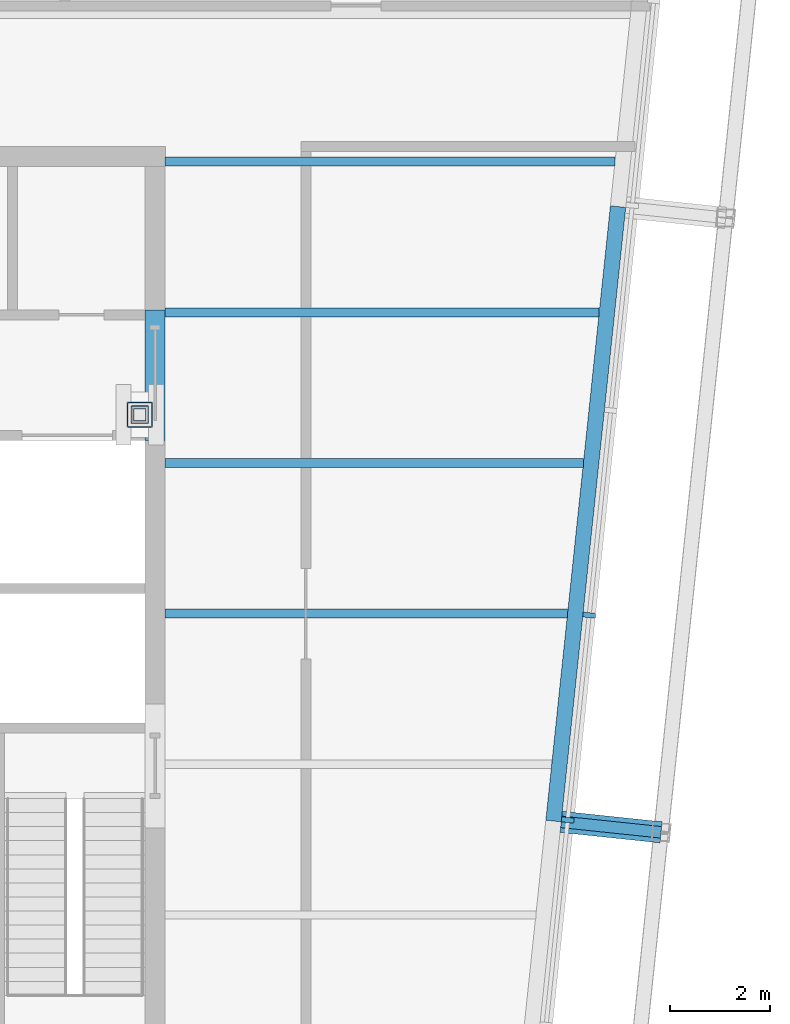
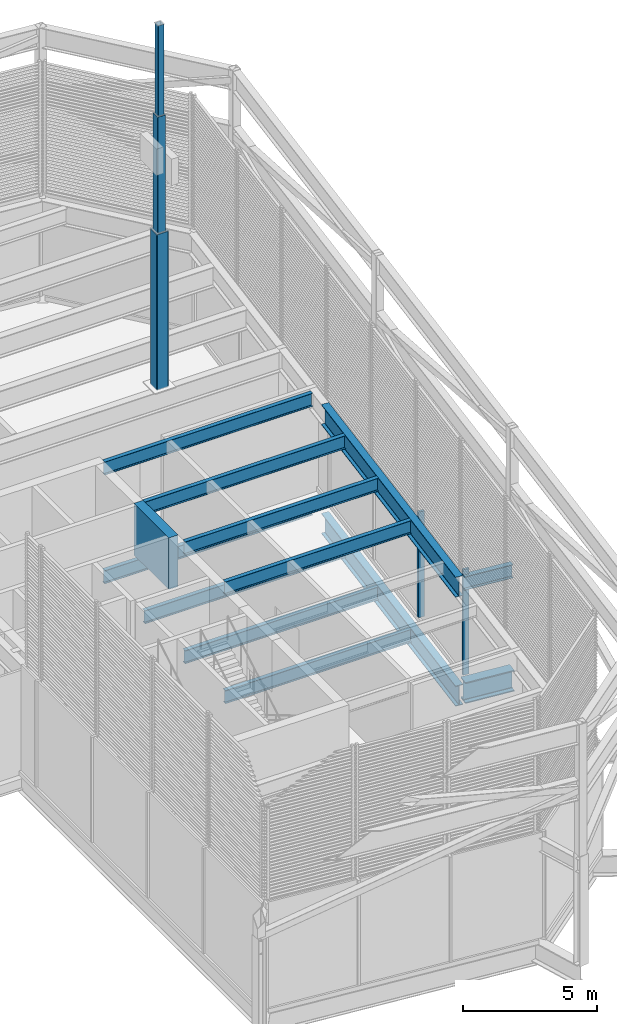
# One storey, part 5 of 11: 13 beams, 5 members, 1 element without a shape of its own.
"""IFC4 building model written with IfcOpenShell, lengths in metres."""

import ifcopenshell
import ifcopenshell.guid

model = None  # the IFC model being written
_history = None  # IfcOwnerHistory: only IFC2X3 demands one
_inside = {}  # id of a spatial element -> (the spatial element, [elements in it])
_under = {}  # id of a project, library or spatial element -> (it, [spatial elements below it])
_declared = {}  # id of a project -> (the project, [libraries it declares])
_typed = {}  # id of a type object -> (the type object, [elements of that type])
_made_of = {}  # id of a material, layer set ... -> (it, [elements and type objects made of it])


def new_model(schema):
    """Start an empty IFC model of exactly this schema.

    Asked for "IFC4X3", IfcOpenShell would pick the latest addendum, in which some entities
    have other attributes; the version numbers below select the first issue.
    IFC2X3 requires an IfcOwnerHistory on every rooted entity: one is made here for all.
    """
    global model, _history
    if schema == "IFC4X3":
        model = ifcopenshell.file(schema_version=(4, 3, 0, 0))
    else:
        model = ifcopenshell.file(schema=schema)
    _inside.clear()
    _under.clear()
    _declared.clear()
    _typed.clear()
    _made_of.clear()
    _history = None
    if model.schema == "IFC2X3":
        org = make("IfcOrganization", Name="unknown")
        user = make(
            "IfcPersonAndOrganization",
            ThePerson=make("IfcPerson", FamilyName="unknown"),
            TheOrganization=org,
        )
        app = make(
            "IfcApplication",
            ApplicationDeveloper=org,
            Version="unknown",
            ApplicationFullName="unknown",
            ApplicationIdentifier="unknown",
        )
        _history = make(
            "IfcOwnerHistory",
            OwningUser=user,
            OwningApplication=app,
            ChangeAction="ADDED",
            CreationDate=0,
        )
    return model


def make(cls, **values):
    """One entity of the class cls with the attributes given. An attribute that is None is left unset."""
    return model.create_entity(
        cls, **{name: value for name, value in values.items() if value is not None}
    )


def rooted(cls, **values):
    """An entity with a GlobalId (a new one), such as an element, a storey or a relation."""
    return make(cls, GlobalId=ifcopenshell.guid.new(), OwnerHistory=_history, **values)


def si_unit(unit_type, name, prefix=None):
    """IfcSIUnit, for example si_unit("LENGTHUNIT", "METRE", prefix="MILLI")."""
    return make("IfcSIUnit", UnitType=unit_type, Prefix=prefix, Name=name)


def assignment(units):
    """IfcUnitAssignment: the units of a project."""
    return None if units is None else make("IfcUnitAssignment", Units=units)


def point(xyz):
    """IfcCartesianPoint."""
    return None if xyz is None else make("IfcCartesianPoint", Coordinates=xyz)


def direction(xyz):
    """IfcDirection."""
    return None if xyz is None else make("IfcDirection", DirectionRatios=xyz)


def frame(location, z_axis=None, x_axis=None):
    """IfcAxis2Placement3D, a coordinate frame: its origin and axes. An axis left out is left unset."""
    return make(
        "IfcAxis2Placement3D",
        Location=point(location),
        Axis=direction(z_axis),
        RefDirection=direction(x_axis),
    )


def frame_2d(location, x_axis=None):
    """IfcAxis2Placement2D, a coordinate frame in the plane: its origin and x axis."""
    return make(
        "IfcAxis2Placement2D", Location=point(location), RefDirection=direction(x_axis)
    )


def origin():
    """The frame at (0, 0, 0) with its axes left unset."""
    return frame((0.0, 0.0, 0.0))


def origin_2d():
    """The frame at (0, 0) in the plane with its x axis left unset."""
    return frame_2d((0.0, 0.0))


def place(relative_to, where):
    """IfcLocalPlacement: puts the frame where relative to a parent placement (None: the world)."""
    return make(
        "IfcLocalPlacement", PlacementRelTo=relative_to, RelativePlacement=where
    )


def context(
    kind, dimensions, precision=None, world=None, true_north=None, identifier=None
):
    """IfcGeometricRepresentationContext, for example the 3D "Model" context."""
    return make(
        "IfcGeometricRepresentationContext",
        ContextIdentifier=identifier,
        ContextType=kind,
        CoordinateSpaceDimension=dimensions,
        Precision=precision,
        WorldCoordinateSystem=world,
        TrueNorth=true_north,
    )


def subcontext(parent, identifier, kind, view, scale=None):
    """IfcGeometricRepresentationSubContext, for example "Body" below "Model"."""
    return make(
        "IfcGeometricRepresentationSubContext",
        ContextIdentifier=identifier,
        ContextType=kind,
        ParentContext=parent,
        TargetScale=scale,
        TargetView=view,
    )


def project(units=None, contexts=None):
    """IfcProject with its units and contexts."""
    return rooted(
        "IfcProject",
        Name="project",
        RepresentationContexts=contexts,
        UnitsInContext=assignment(units),
    )


def spatial(cls, under=None, at=None, **own):
    """A site, building, storey or space (cls), placed at a placement, below another one or the project."""
    s = rooted(cls, ObjectPlacement=at, **own)
    if under is not None:
        _under.setdefault(under.id(), (under, []))[1].append(s)
    return s


def profile(cls, at=None, kind="AREA", **sizes):
    """A parametric profile (cls). Its sizes go by their IFC names, for example OverallWidth=200.0."""
    return make(cls, ProfileType=kind, Position=at, **sizes)


def rectangle(**sizes):
    """IfcRectangleProfileDef."""
    return profile("IfcRectangleProfileDef", **sizes)


def hollow_rectangle(**sizes):
    """IfcRectangleHollowProfileDef."""
    return profile("IfcRectangleHollowProfileDef", **sizes)


def i_section(**sizes):
    """IfcIShapeProfileDef."""
    return profile("IfcIShapeProfileDef", **sizes)


def extrude(swept, where, along, depth):
    """IfcExtrudedAreaSolid: the profile swept, set in the frame where, extruded along a direction by depth."""
    return make(
        "IfcExtrudedAreaSolid",
        SweptArea=swept,
        Position=where,
        ExtrudedDirection=direction(along),
        Depth=depth,
    )


def shape(context_of_items, identifier, shape_type, items):
    """IfcShapeRepresentation: the items that make up one representation, for example the "Body"."""
    return make(
        "IfcShapeRepresentation",
        ContextOfItems=context_of_items,
        RepresentationIdentifier=identifier,
        RepresentationType=shape_type,
        Items=items,
    )


def material(Name=None, Category=None):
    """IfcMaterial."""
    return make("IfcMaterial", Name=Name, Category=Category)


def layer(
    of_material, thickness, ventilated=None, Name=None, Category=None, Priority=None
):
    """IfcMaterialLayer: one layer of a wall or slab, of a material (None: an air gap)."""
    return make(
        "IfcMaterialLayer",
        Material=of_material,
        LayerThickness=thickness,
        IsVentilated=ventilated,
        Name=Name,
        Category=Category,
        Priority=Priority,
    )


def layer_set(layers, Name=None):
    """IfcMaterialLayerSet."""
    return make("IfcMaterialLayerSet", MaterialLayers=layers, LayerSetName=Name)


def material_profile(
    of_material, cross_section, Name=None, Category=None, Priority=None
):
    """IfcMaterialProfile: a cross section and its material."""
    return make(
        "IfcMaterialProfile",
        Name=Name,
        Material=of_material,
        Profile=cross_section,
        Priority=Priority,
        Category=Category,
    )


def profile_set(profiles, Name=None, composite=None):
    """IfcMaterialProfileSet."""
    return make(
        "IfcMaterialProfileSet",
        Name=Name,
        MaterialProfiles=profiles,
        CompositeProfile=composite,
    )


def made_of(thing, what):
    """Note that an element or type object is made of a material, layer set ...; save() writes the relation."""
    if what is not None:
        _made_of.setdefault(what.id(), (what, []))[1].append(thing)
    return thing


def type_object(cls, material=None, **own):
    """A type object (cls), such as IfcWallType, which elements share."""
    return made_of(rooted(cls, **own), material)


def element(
    cls,
    number,
    at=None,
    inside=None,
    cuts=None,
    type_object=None,
    material=None,
    context=None,
    identifier="Body",
    shape_type=None,
    held_by="IfcProductDefinitionShape",
    body=None,
    shapes=None,
    **own,
):
    """One element of the class cls, such as IfcWall. Its Tag is "e" and its number.

    at: its placement. inside: the storey or other place that contains it. cuts: it is an
    opening in that element (IfcRelVoidsElement). A single representation is given by context,
    identifier, shape_type and body (its items); several are given by shapes. held_by: the class
    of the entity that holds the representations. save() writes the other relations.
    """
    e = rooted(cls, Tag="e%d" % number, ObjectPlacement=at, **own)
    if body is not None:
        shapes = [shape(context, identifier, shape_type, body)]
    if shapes is not None:
        e.Representation = make(held_by, Representations=shapes)
    if inside is not None:
        _inside.setdefault(inside.id(), (inside, []))[1].append(e)
    if cuts is not None:
        rooted(
            "IfcRelVoidsElement", RelatingBuildingElement=cuts, RelatedOpeningElement=e
        )
    if type_object is not None:
        _typed.setdefault(type_object.id(), (type_object, []))[1].append(e)
    return made_of(e, material)


def aggregate(whole, parts):
    """IfcRelAggregates: a whole, such as a stair, and the parts it consists of."""
    return rooted("IfcRelAggregates", RelatingObject=whole, RelatedObjects=parts)


def save(model, path):
    """Write the relations noted so far, then the file.

    IfcRelAggregates (storeys below a building ...), IfcRelContainedInSpatialStructure (elements
    in a storey), IfcRelDefinesByType, IfcRelAssociatesMaterial and IfcRelDeclares: one each for
    every whole, place, type object, material and project.
    """
    for whole, parts in _under.values():
        aggregate(whole, parts)
    for where, things in _inside.values():
        rooted(
            "IfcRelContainedInSpatialStructure",
            RelatedElements=things,
            RelatingStructure=where,
        )
    for kind, things in _typed.values():
        rooted("IfcRelDefinesByType", RelatedObjects=things, RelatingType=kind)
    for what, things in _made_of.values():
        rooted("IfcRelAssociatesMaterial", RelatedObjects=things, RelatingMaterial=what)
    for by, libraries in _declared.values():
        rooted("IfcRelDeclares", RelatingContext=by, RelatedDefinitions=libraries)
    model.write(path)


model = new_model("IFC4")

# Units and contexts
model_context = context("Model", 3, precision=1e-05, world=origin(), true_north=direction((0.0, 1.0)))
body_context = subcontext(model_context, "Body", "Model", "MODEL_VIEW")
ifc_project = project(units=[si_unit("LENGTHUNIT", "METRE"), si_unit("AREAUNIT", "SQUARE_METRE"), si_unit("VOLUMEUNIT", "CUBIC_METRE"), si_unit("PLANEANGLEUNIT", "RADIAN"), si_unit("MASSUNIT", "GRAM", prefix="KILO")], contexts=[model_context])

# Site, building, storey
site_placement = place(None, origin())
site = spatial("IfcSite", under=ifc_project, at=site_placement, CompositionType="ELEMENT")
building_placement = place(site_placement, origin())
building = spatial("IfcBuilding", under=site, at=building_placement, Name="Millrace Tower", CompositionType="ELEMENT")
storey_placement = place(building_placement, frame((0.0, 0.0, 357.10009765625)))
storey = spatial("IfcBuildingStorey", under=building, at=storey_placement, Name="L82", CompositionType="ELEMENT", Elevation=357.10009765625)

# Curtain wall, members
ifc_material_1 = material(Name="Aluminium and glass", Category="aluminium")
ifc_layer = layer(ifc_material_1, 0.25)
ifc_layer_set = layer_set([ifc_layer], Name="Aluminium and glass")
curtain_wall_type = type_object("IfcCurtainWallType", Name="CW-7 crown louvred enclosure", PredefinedType="NOTDEFINED", material=ifc_layer_set)
curtain_wall_placement = place(storey_placement, origin())
curtain_wall = element("IfcCurtainWall", 1, at=curtain_wall_placement, inside=storey, type_object=curtain_wall_type, Name="Curtain wall CE-F04 L82", PredefinedType="NOTDEFINED")
ifc_material_2 = material(Name="Aluminium", Category="aluminium")
ifc_material_profile_1 = material_profile(ifc_material_2, rectangle(XDim=0.10009765625, YDim=0.25, at=origin_2d()))
ifc_profile_set_1 = profile_set([ifc_material_profile_1], Name="Aluminium")
member_type_1 = type_object("IfcMemberType", Name="CW-7 crown louvred enclosure mullion", PredefinedType="MULLION", material=ifc_profile_set_1)
member_1_placement = place(storey_placement, frame((22.31201171875, -4.107666015625, 0.199951171875), z_axis=(0.0, 0.0, 1.0), x_axis=(0.104528455196, 0.994521896217, 0.0)))
member_1 = element("IfcMember", 2, at=member_1_placement, type_object=member_type_1, Name="CW7 mullion CE-F04.4", PredefinedType="MULLION", context=body_context, shape_type="SweptSolid", body=[
    extrude(rectangle(XDim=0.10009765625, YDim=0.25, at=origin_2d()), origin(), (0.0, 0.0, 1.0), 4.800048828125),
])
member_2_placement = place(storey_placement, frame((22.74072265625, -0.030029296875, 0.199951171875), z_axis=(0.0, 0.0, 1.0), x_axis=(0.104528455196, 0.994521896217, 0.0)))
member_2 = element("IfcMember", 3, at=member_2_placement, type_object=member_type_1, Name="CW7 mullion CE-F04.5", PredefinedType="MULLION", context=body_context, shape_type="SweptSolid", body=[
    extrude(rectangle(XDim=0.10009765625, YDim=0.25, at=origin_2d()), origin(), (0.0, 0.0, 1.0), 4.800048828125),
])
aggregate(curtain_wall, [member_1, member_2])

# Beams
ifc_material_3 = material(Name="Concrete C60", Category="concrete")
ifc_material_profile_2 = material_profile(ifc_material_3, rectangle(XDim=0.39990234375, YDim=2.35009765625, at=origin_2d()))
ifc_profile_set_2 = profile_set([ifc_material_profile_2], Name="Concrete C60")
beam_type_1 = type_object("IfcBeamType", Name="Coupling beam 400 x 2350 Concrete C60, 2000 opening", PredefinedType="BEAM", material=ifc_profile_set_2)
beam_1_placement = place(storey_placement, frame((14.10009765625, 6.050048828125, 3.574951171875), z_axis=(0.0, -1.0, 0.0), x_axis=(1.0, 0.0, 0.0)))
element("IfcBeam", 4, at=beam_1_placement, inside=storey, type_object=beam_type_1, Name="Coupling beam E L82", PredefinedType="BEAM", context=body_context, shape_type="SweptSolid", body=[
    extrude(rectangle(XDim=0.39990234375, YDim=2.35009765625, at=origin_2d()), origin(), (0.0, 0.0, 1.0), 2.60009765625),
])
ifc_material_4 = material(Name="Steel ASTM A992 Grade 50", Category="steel")
ifc_material_profile_3 = material_profile(ifc_material_4, i_section(OverallWidth=0.177978515625, OverallDepth=0.599365234375, WebThickness=0.010009765625, FlangeThickness=0.012939453125, FilletRadius=0.012939453125, at=origin_2d()))
ifc_profile_set_3 = profile_set([ifc_material_profile_3], Name="Steel ASTM A992 Grade 50")
beam_type_2 = type_object("IfcBeamType", Name="Floor beam W24x55", PredefinedType="JOIST", material=ifc_profile_set_3)
beam_2_placement = place(storey_placement, frame((14.300048828125, 0.0, -0.499755859375), z_axis=(1.0, 0.0, 0.0), x_axis=(0.0, 1.0, 0.0)))
element("IfcBeam", 5, at=beam_2_placement, inside=storey, type_object=beam_type_2, Name="BM-CROWN-L82-SE-S007", PredefinedType="JOIST", context=body_context, shape_type="SweptSolid", body=[
    extrude(i_section(OverallWidth=0.177978515625, OverallDepth=0.599365234375, WebThickness=0.010009765625, FlangeThickness=0.012939453125, FilletRadius=0.012939453125, at=origin_2d()), origin(), (0.0, 0.0, 1.0), 8.009033203125),
])
beam_3_placement = place(storey_placement, frame((14.300048828125, 3.0, -0.499755859375), z_axis=(1.0, 0.0, 0.0), x_axis=(0.0, 1.0, 0.0)))
element("IfcBeam", 6, at=beam_3_placement, inside=storey, type_object=beam_type_2, Name="BM-CROWN-L82-SE-S008", PredefinedType="JOIST", context=body_context, shape_type="SweptSolid", body=[
    extrude(i_section(OverallWidth=0.177978515625, OverallDepth=0.599365234375, WebThickness=0.010009765625, FlangeThickness=0.012939453125, FilletRadius=0.012939453125, at=origin_2d()), origin(), (0.0, 0.0, 1.0), 8.324462890625),
])
beam_4_placement = place(storey_placement, frame((14.300048828125, 6.0, -0.499755859375), z_axis=(1.0, 0.0, 0.0), x_axis=(0.0, 1.0, 0.0)))
element("IfcBeam", 7, at=beam_4_placement, inside=storey, type_object=beam_type_2, Name="BM-CROWN-L82-SE-S009", PredefinedType="JOIST", context=body_context, shape_type="SweptSolid", body=[
    extrude(i_section(OverallWidth=0.177978515625, OverallDepth=0.599365234375, WebThickness=0.010009765625, FlangeThickness=0.012939453125, FilletRadius=0.012939453125, at=origin_2d()), origin(), (0.0, 0.0, 1.0), 8.6396484375),
])
beam_5_placement = place(storey_placement, frame((14.300048828125, 9.0, -0.499755859375), z_axis=(1.0, 0.0, 0.0), x_axis=(0.0, 1.0, 0.0)))
element("IfcBeam", 8, at=beam_5_placement, inside=storey, type_object=beam_type_2, Name="BM-CROWN-L82-SE-S010", PredefinedType="JOIST", context=body_context, shape_type="SweptSolid", body=[
    extrude(i_section(OverallWidth=0.177978515625, OverallDepth=0.599365234375, WebThickness=0.010009765625, FlangeThickness=0.012939453125, FilletRadius=0.012939453125, at=origin_2d()), origin(), (0.0, 0.0, 1.0), 8.955078125),
])
beam_6_placement = place(storey_placement, frame((14.300048828125, 0.0, 4.4501953125), z_axis=(1.0, 0.0, 0.0), x_axis=(0.0, 1.0, 0.0)))
element("IfcBeam", 9, at=beam_6_placement, inside=storey, type_object=beam_type_2, Name="BM-E-L82-RE-S007", PredefinedType="JOIST", context=body_context, shape_type="SweptSolid", body=[
    extrude(i_section(OverallWidth=0.177978515625, OverallDepth=0.599365234375, WebThickness=0.010009765625, FlangeThickness=0.012939453125, FilletRadius=0.012939453125, at=origin_2d()), origin(), (0.0, 0.0, 1.0), 8.009033203125),
])
beam_7_placement = place(storey_placement, frame((14.300048828125, 3.0, 4.4501953125), z_axis=(1.0, 0.0, 0.0), x_axis=(0.0, 1.0, 0.0)))
element("IfcBeam", 10, at=beam_7_placement, inside=storey, type_object=beam_type_2, Name="BM-E-L82-RE-S008", PredefinedType="JOIST", context=body_context, shape_type="SweptSolid", body=[
    extrude(i_section(OverallWidth=0.177978515625, OverallDepth=0.599365234375, WebThickness=0.010009765625, FlangeThickness=0.012939453125, FilletRadius=0.012939453125, at=origin_2d()), origin(), (0.0, 0.0, 1.0), 8.324462890625),
])
beam_8_placement = place(storey_placement, frame((14.300048828125, 6.0, 4.4501953125), z_axis=(1.0, 0.0, 0.0), x_axis=(0.0, 1.0, 0.0)))
element("IfcBeam", 11, at=beam_8_placement, inside=storey, type_object=beam_type_2, Name="BM-E-L82-RE-S009", PredefinedType="JOIST", context=body_context, shape_type="SweptSolid", body=[
    extrude(i_section(OverallWidth=0.177978515625, OverallDepth=0.599365234375, WebThickness=0.010009765625, FlangeThickness=0.012939453125, FilletRadius=0.012939453125, at=origin_2d()), origin(), (0.0, 0.0, 1.0), 8.6396484375),
])
beam_9_placement = place(storey_placement, frame((14.300048828125, 9.0, 4.4501953125), z_axis=(1.0, 0.0, 0.0), x_axis=(0.0, 1.0, 0.0)))
element("IfcBeam", 12, at=beam_9_placement, inside=storey, type_object=beam_type_2, Name="BM-E-L82-RE-S010", PredefinedType="JOIST", context=body_context, shape_type="SweptSolid", body=[
    extrude(i_section(OverallWidth=0.177978515625, OverallDepth=0.599365234375, WebThickness=0.010009765625, FlangeThickness=0.012939453125, FilletRadius=0.012939453125, at=origin_2d()), origin(), (0.0, 0.0, 1.0), 8.955078125),
])
ifc_material_5 = material(Name="Steel ASTM A992 Grade 50", Category="steel")
ifc_material_profile_4 = material_profile(ifc_material_5, i_section(OverallWidth=0.23046875, OverallDepth=0.6171875, WebThickness=0.01318359375, FlangeThickness=0.022216796875, FilletRadius=0.012939453125, at=origin_2d()))
ifc_profile_set_4 = profile_set([ifc_material_profile_4], Name="Steel ASTM A992 Grade 50")
beam_type_3 = type_object("IfcBeamType", Name="Link beam W24x94", PredefinedType="BEAM", material=ifc_profile_set_4)
beam_10_placement = place(storey_placement, frame((22.1826171875, -4.144287109375, 4.44140625), z_axis=(0.99452550138, -0.104494148666, 0.0), x_axis=(0.104494148666, 0.99452550138, 0.0)))
element("IfcBeam", 13, at=beam_10_placement, inside=storey, type_object=beam_type_3, Name="LNK-E-L82-RE-05", PredefinedType="BEAM", context=body_context, shape_type="SweptSolid", body=[
    extrude(i_section(OverallWidth=0.23046875, OverallDepth=0.6171875, WebThickness=0.01318359375, FlangeThickness=0.022216796875, FilletRadius=0.012939453125, at=origin_2d()), origin(), (0.0, 0.0, 1.0), 2.0),
])
ifc_material_6 = material(Name="Steel ASTM A992 Grade 50", Category="steel")
ifc_material_profile_5 = material_profile(ifc_material_6, i_section(OverallWidth=0.421630859375, OverallDepth=0.95751953125, WebThickness=0.02587890625, FlangeThickness=0.046875, FilletRadius=0.024169921875, at=origin_2d()))
ifc_profile_set_5 = profile_set([ifc_material_profile_5], Name="Steel ASTM A992 Grade 50")
beam_type_4 = type_object("IfcBeamType", Name="Link beam W36x330", PredefinedType="BEAM", material=ifc_profile_set_5)
beam_11_placement = place(storey_placement, frame((22.1826171875, -4.144287109375, -0.47900390625), z_axis=(0.99452550138, -0.104494148666, 0.0), x_axis=(0.104494148666, 0.99452550138, 0.0)))
element("IfcBeam", 14, at=beam_11_placement, inside=storey, type_object=beam_type_4, Name="LNK-CROWN-L82-SE-05", PredefinedType="BEAM", context=body_context, shape_type="SweptSolid", body=[
    extrude(i_section(OverallWidth=0.421630859375, OverallDepth=0.95751953125, WebThickness=0.02587890625, FlangeThickness=0.046875, FilletRadius=0.024169921875, at=origin_2d()), origin(), (0.0, 0.0, 1.0), 2.0),
])
ifc_material_7 = material(Name="Steel ASTM A992 Grade 50", Category="steel")
ifc_material_profile_6 = material_profile(ifc_material_7, i_section(OverallWidth=0.307373046875, OverallDepth=0.927001953125, WebThickness=0.01953125, FlangeThickness=0.031982421875, FilletRadius=0.01904296875, at=origin_2d()))
ifc_profile_set_6 = profile_set([ifc_material_profile_6], Name="Steel ASTM A992 Grade 50")
beam_type_5 = type_object("IfcBeamType", Name="Ring beam medium span W36x194", PredefinedType="SPANDREL", material=ifc_profile_set_6)
for number, where, z_axis, x_axis, name in (
    (15, (23.3154296875, 8.104248046875, -0.66357421875), (-0.10452566363, -0.994522189618, 0.0), (0.994522189618, -0.10452566363, 0.0), "RNG-CROWN-L82-SE-04"),
    (16, (23.3154296875, 8.104248046875, 4.286376953125), (-0.10452566363, -0.994522189618, 0.0), (0.994522189618, -0.10452566363, 0.0), "RNG-E-L82-RE-04"),
):
    element("IfcBeam", number, at=place(storey_placement, frame(where, z_axis=z_axis, x_axis=x_axis)), inside=storey, type_object=beam_type_5, Name=name, PredefinedType="SPANDREL", context=body_context, shape_type="SweptSolid", body=[
        extrude(i_section(OverallWidth=0.307373046875, OverallDepth=0.927001953125, WebThickness=0.01953125, FlangeThickness=0.031982421875, FilletRadius=0.01904296875, at=origin_2d()), origin(), (0.0, 0.0, 1.0), 12.2998046875),
    ])

# Members
ifc_material_8 = material(Name="Steel ASTM A500 Grade C", Category="steel")
ifc_material_profile_7 = material_profile(ifc_material_8, hollow_rectangle(XDim=0.25390625, YDim=0.25390625, WallThickness=0.0126953125, InnerFilletRadius=0.00634765625, OuterFilletRadius=0.01904296875, at=origin_2d()))
ifc_profile_set_7 = profile_set([ifc_material_profile_7], Name="Steel ASTM A500 Grade C")
member_type_2 = type_object("IfcMemberType", Name="SPIRE mast HSS10x10x1/2", PredefinedType="POST", material=ifc_profile_set_7)
member_3_placement = place(storey_placement, frame((13.793212890625, 3.962158203125, 23.77978515625), z_axis=(0.0, 0.0, 1.0), x_axis=(1.0, 0.0, 0.0)))
element("IfcMember", 17, at=member_3_placement, inside=storey, type_object=member_type_2, Name="SPIRE mast top length", PredefinedType="POST", context=body_context, shape_type="SweptSolid", body=[
    extrude(hollow_rectangle(XDim=0.25390625, YDim=0.25390625, WallThickness=0.0126953125, InnerFilletRadius=0.00634765625, OuterFilletRadius=0.01904296875, at=origin_2d()), origin(), (0.0, 0.0, 1.0), 4.112060546875),
])
ifc_material_9 = material(Name="Steel ASTM A500 Grade C", Category="steel")
ifc_material_profile_8 = material_profile(ifc_material_9, hollow_rectangle(XDim=0.355712890625, YDim=0.355712890625, WallThickness=0.015869140625, InnerFilletRadius=0.008056640625, OuterFilletRadius=0.02392578125, at=origin_2d()))
ifc_profile_set_8 = profile_set([ifc_material_profile_8], Name="Steel ASTM A500 Grade C")
member_type_3 = type_object("IfcMemberType", Name="SPIRE mast HSS14x14x5/8", PredefinedType="POST", material=ifc_profile_set_8)
member_4_placement = place(storey_placement, frame((13.793212890625, 3.962158203125, 18.50634765625), z_axis=(0.0, 0.0, 1.0), x_axis=(1.0, 0.0, 0.0)))
element("IfcMember", 18, at=member_4_placement, inside=storey, type_object=member_type_3, Name="SPIRE mast middle length", PredefinedType="POST", context=body_context, shape_type="SweptSolid", body=[
    extrude(hollow_rectangle(XDim=0.355712890625, YDim=0.355712890625, WallThickness=0.015869140625, InnerFilletRadius=0.008056640625, OuterFilletRadius=0.02392578125, at=origin_2d()), origin(), (0.0, 0.0, 1.0), 5.2734375),
])
ifc_material_10 = material(Name="Steel ASTM A500 Grade C", Category="steel")
ifc_material_profile_9 = material_profile(ifc_material_10, hollow_rectangle(XDim=0.508056640625, YDim=0.508056640625, WallThickness=0.022216796875, InnerFilletRadius=0.01123046875, OuterFilletRadius=0.033447265625, at=origin_2d()))
ifc_profile_set_9 = profile_set([ifc_material_profile_9], Name="Steel ASTM A500 Grade C")
member_type_4 = type_object("IfcMemberType", Name="SPIRE mast HSS20x20x7/8", PredefinedType="POST", material=ifc_profile_set_9)
member_5_placement = place(storey_placement, frame((13.793212890625, 3.962158203125, 11.419921875), z_axis=(0.0, 0.0, 1.0), x_axis=(1.0, 0.0, 0.0)))
element("IfcMember", 19, at=member_5_placement, inside=storey, type_object=member_type_4, Name="SPIRE mast", PredefinedType="POST", context=body_context, shape_type="SweptSolid", body=[
    extrude(hollow_rectangle(XDim=0.508056640625, YDim=0.508056640625, WallThickness=0.022216796875, InnerFilletRadius=0.01123046875, OuterFilletRadius=0.033447265625, at=origin_2d()), origin(), (0.0, 0.0, 1.0), 7.08642578125),
])

save(model, "model.ifc")
